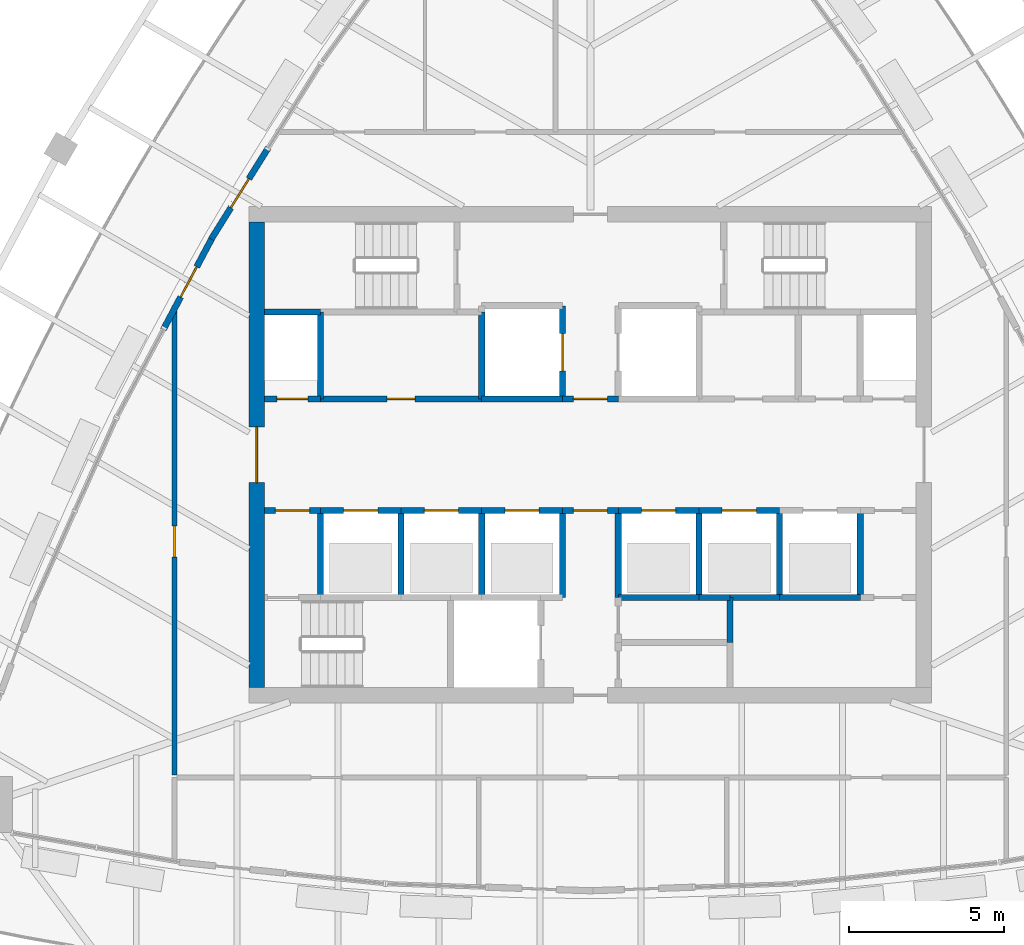
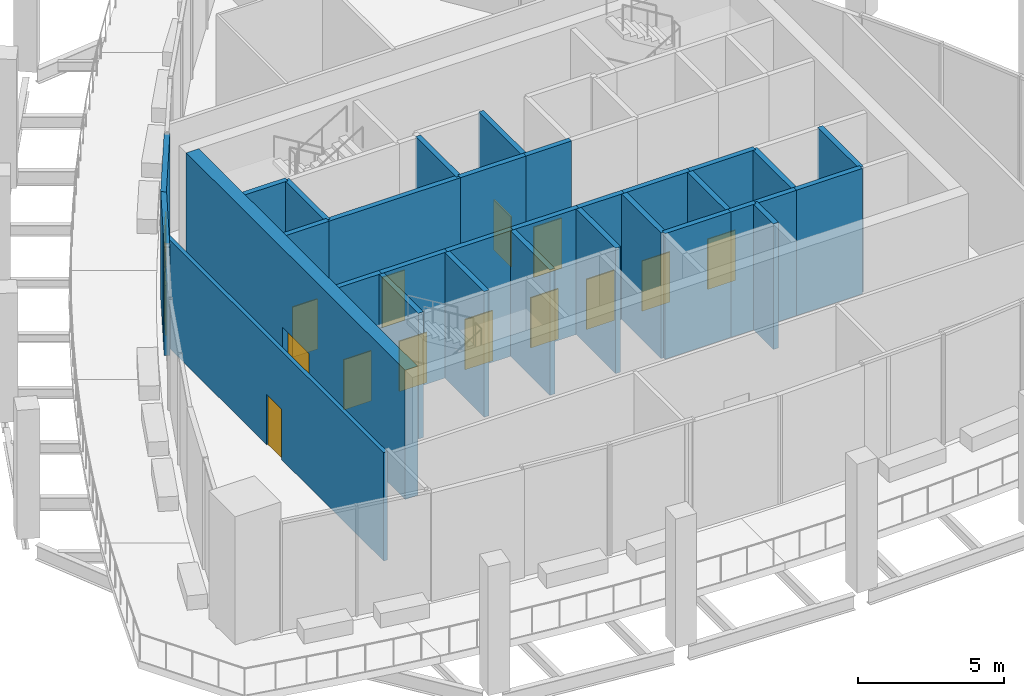
# One storey, part 8 of 14: 32 walls, 15 doors, 15 openings.
"""IFC4 building model written with IfcOpenShell, lengths in metres."""

from ifc_helpers import new_model, si_unit, direction, frame, frame_2d, origin, place, context, subcontext, project, spatial, rectangle, extrude, material, layer, layer_set, type_object, element, fill, save


model = new_model("IFC4")

# Units and contexts
model_context = context("Model", 3, precision=1e-05, world=origin(), true_north=direction((0.0, 1.0)))
body_context = subcontext(model_context, "Body", "Model", "MODEL_VIEW")
ifc_project = project(units=[si_unit("LENGTHUNIT", "METRE"), si_unit("AREAUNIT", "SQUARE_METRE"), si_unit("VOLUMEUNIT", "CUBIC_METRE"), si_unit("PLANEANGLEUNIT", "RADIAN"), si_unit("MASSUNIT", "GRAM", prefix="KILO")], contexts=[model_context])

# Site, building, storey
site_placement = place(None, origin())
site = spatial("IfcSite", under=ifc_project, at=site_placement, CompositionType="ELEMENT")
building_placement = place(site_placement, origin())
building = spatial("IfcBuilding", under=site, at=building_placement, Name="Sierra Prisma Convention Tower", CompositionType="ELEMENT")
storey_placement = place(building_placement, frame((0.0, 0.0, 339.39990234375)))
storey = spatial("IfcBuildingStorey", under=building, at=storey_placement, Name="L76", CompositionType="ELEMENT", Elevation=339.39990234375)

# Wall, opening, door
ifc_material_1 = material(Name="Concrete C30/37", Category="concrete")
ifc_layer_1 = layer(ifc_material_1, 0.199951171875)
ifc_layer_set_1 = layer_set([ifc_layer_1], Name="Core wall RC 200 C30/37")
wall_type_1 = type_object("IfcWallType", Name="Core wall RC 200 C30/37", PredefinedType="SOLIDWALL", material=ifc_layer_set_1)
wall_1_placement = place(storey_placement, frame((-10.5, -1.800048828125, 0.0), z_axis=(0.0, 0.0, 1.0), x_axis=(1.0, 0.0, 0.0)))
wall_1 = element("IfcWall", 1, at=wall_1_placement, inside=storey, type_object=wall_type_1, Name="Core wall L76 2", PredefinedType="SOLIDWALL", context=body_context, shape_type="SweptSolid", body=[
    extrude(rectangle(XDim=1.800048828125, YDim=0.199951171875, at=frame_2d((0.89990234375, 0.0))), origin(), (0.0, 0.0, 1.0), 5.25),
])
opening_1_placement = place(wall_1_placement, frame((0.35009765625, 0.0, 0.0)))
opening_1 = element("IfcOpeningElement", 2, at=opening_1_placement, cuts=wall_1, Name="Opening L76-D010", PredefinedType="OPENING", context=body_context, shape_type="SweptSolid", body=[
    extrude(rectangle(XDim=1.10009765625, YDim=2.10009765625, at=frame_2d((0.550048828125, 1.050048828125))), frame((0.0, 0.10009765625, 0.0), z_axis=(0.0, -1.0, 0.0), x_axis=(1.0, 0.0, 0.0)), (0.0, 0.0, 1.0), 0.199951171875),
])
ifc_material_2 = material(Name="Steel fire door leaf", Category="steel")
door_type_1 = type_object("IfcDoorType", Name="Door 1100x2100 FD90S", OperationType="SINGLE_SWING_LEFT", PredefinedType="DOOR", material=ifc_material_2)
door_1_placement = place(opening_1_placement, origin())
door_1 = element("IfcDoor", 3, at=door_1_placement, inside=storey, type_object=door_type_1, Name="Door L76 18", OperationType="SINGLE_SWING_RIGHT", OverallHeight=2.10009765625, OverallWidth=1.10009765625, PredefinedType="DOOR", context=body_context, shape_type="SweptSolid", body=[
    extrude(rectangle(XDim=1.10009765625, YDim=2.10009765625, at=frame_2d((0.550048828125, 1.050048828125))), frame((0.0, 0.02490234375, 0.0), z_axis=(0.0, -1.0, 0.0), x_axis=(1.0, 0.0, 0.0)), (0.0, 0.0, 1.0), 0.050048828125),
])
fill(opening_1, door_1)

wall_2_placement = place(storey_placement, frame((-8.699951171875, 1.800048828125, 0.0), z_axis=(0.0, 0.0, 1.0), x_axis=(-1.0, 0.0, 0.0)))
wall_2 = element("IfcWall", 4, at=wall_2_placement, inside=storey, type_object=wall_type_1, Name="Core wall L76 3", PredefinedType="SOLIDWALL", context=body_context, shape_type="SweptSolid", body=[
    extrude(rectangle(XDim=1.800048828125, YDim=0.199951171875, at=frame_2d((0.89990234375, 0.0))), origin(), (0.0, 0.0, 1.0), 5.25),
])
opening_2_placement = place(wall_2_placement, frame((0.39990234375, 0.0, 0.0)))
opening_2 = element("IfcOpeningElement", 5, at=opening_2_placement, cuts=wall_2, Name="Opening L76-D013", PredefinedType="OPENING", context=body_context, shape_type="SweptSolid", body=[
    extrude(rectangle(XDim=1.0, YDim=2.10009765625, at=frame_2d((0.5, 1.050048828125))), frame((0.0, 0.10009765625, 0.0), z_axis=(0.0, -1.0, 0.0), x_axis=(1.0, 0.0, 0.0)), (0.0, 0.0, 1.0), 0.199951171875),
])
ifc_material_3 = material(Name="Steel fire door leaf", Category="steel")
door_type_2 = type_object("IfcDoorType", Name="Door 1000x2100 FD60S", OperationType="SINGLE_SWING_LEFT", PredefinedType="DOOR", material=ifc_material_3)
door_2_placement = place(opening_2_placement, origin())
door_2 = element("IfcDoor", 6, at=door_2_placement, inside=storey, type_object=door_type_2, Name="Door L76 21", OperationType="SINGLE_SWING_RIGHT", OverallHeight=2.10009765625, OverallWidth=1.0, PredefinedType="DOOR", context=body_context, shape_type="SweptSolid", body=[
    extrude(rectangle(XDim=1.0, YDim=2.10009765625, at=frame_2d((0.5, 1.050048828125))), frame((0.0, 0.02490234375, 0.0), z_axis=(0.0, -1.0, 0.0), x_axis=(1.0, 0.0, 0.0)), (0.0, 0.0, 1.0), 0.050048828125),
])
fill(opening_2, door_2)

# Walls
wall_3_placement = place(storey_placement, frame((-8.699951171875, 4.60009765625, 0.0), z_axis=(0.0, 0.0, 1.0), x_axis=(-1.0, 0.0, 0.0)))
element("IfcWall", 7, at=wall_3_placement, inside=storey, type_object=wall_type_1, Name="Core wall L76 4", PredefinedType="SOLIDWALL", context=body_context, shape_type="SweptSolid", body=[
    extrude(rectangle(XDim=1.800048828125, YDim=0.199951171875, at=frame_2d((0.89990234375, 0.0))), origin(), (0.0, 0.0, 1.0), 5.25),
])
wall_4_placement = place(storey_placement, frame((-8.699951171875, -4.60009765625, 0.0), z_axis=(0.0, 0.0, 1.0), x_axis=(0.0, 1.0, 0.0)))
element("IfcWall", 8, at=wall_4_placement, inside=storey, type_object=wall_type_1, Name="Core wall L76 6", PredefinedType="SOLIDWALL", context=body_context, shape_type="SweptSolid", body=[
    extrude(rectangle(XDim=2.800048828125, YDim=0.199951171875, at=frame_2d((1.39990234375, 0.0))), origin(), (0.0, 0.0, 1.0), 5.25),
])

# Wall, opening, door
wall_5_placement = place(storey_placement, frame((-8.699951171875, -1.800048828125, 0.0), z_axis=(0.0, 0.0, 1.0), x_axis=(1.0, 0.0, 0.0)))
wall_5 = element("IfcWall", 9, at=wall_5_placement, inside=storey, type_object=wall_type_1, Name="Core wall L76 7", PredefinedType="SOLIDWALL", context=body_context, shape_type="SweptSolid", body=[
    extrude(rectangle(XDim=2.599853515625, YDim=0.199951171875, at=frame_2d((1.2998046875, 0.0))), origin(), (0.0, 0.0, 1.0), 5.25),
])
opening_3_placement = place(wall_5_placement, frame((0.75, 0.0, 0.0)))
opening_3 = element("IfcOpeningElement", 10, at=opening_3_placement, cuts=wall_5, Name="Opening L76-D001", PredefinedType="OPENING", context=body_context, shape_type="SweptSolid", body=[
    extrude(rectangle(XDim=1.10009765625, YDim=2.10009765625, at=frame_2d((0.550048828125, 1.050048828125))), frame((0.0, 0.10009765625, 0.0), z_axis=(0.0, -1.0, 0.0), x_axis=(1.0, 0.0, 0.0)), (0.0, 0.0, 1.0), 0.199951171875),
])
ifc_material_4 = material(Name="Steel fire door leaf", Category="steel")
door_type_3 = type_object("IfcDoorType", Name="Door 1100x2100 EI 90 sliding lift landing", OperationType="SLIDING_TO_LEFT", PredefinedType="DOOR", material=ifc_material_4)
door_3_placement = place(opening_3_placement, origin())
door_3 = element("IfcDoor", 11, at=door_3_placement, inside=storey, type_object=door_type_3, Name="Door L76 9", OperationType="SLIDING_TO_RIGHT", OverallHeight=2.10009765625, OverallWidth=1.10009765625, PredefinedType="DOOR", context=body_context, shape_type="SweptSolid", body=[
    extrude(rectangle(XDim=1.10009765625, YDim=2.10009765625, at=frame_2d((0.550048828125, 1.050048828125))), frame((0.0, 0.02490234375, 0.0), z_axis=(0.0, -1.0, 0.0), x_axis=(1.0, 0.0, 0.0)), (0.0, 0.0, 1.0), 0.050048828125),
])
fill(opening_3, door_3)

wall_6_placement = place(storey_placement, frame((-8.699951171875, 1.800048828125, 0.0), z_axis=(0.0, 0.0, 1.0), x_axis=(1.0, 0.0, 0.0)))
wall_6 = element("IfcWall", 12, at=wall_6_placement, inside=storey, type_object=wall_type_1, Name="Core wall L76 8", PredefinedType="SOLIDWALL", context=body_context, shape_type="SweptSolid", body=[
    extrude(rectangle(XDim=5.199951171875, YDim=0.199951171875, at=frame_2d((2.60009765625, 0.0))), origin(), (0.0, 0.0, 1.0), 5.25),
])
opening_4_placement = place(wall_6_placement, frame((2.14990234375, 0.0, 0.0)))
opening_4 = element("IfcOpeningElement", 13, at=opening_4_placement, cuts=wall_6, Name="Opening L76-D020", PredefinedType="OPENING", context=body_context, shape_type="SweptSolid", body=[
    extrude(rectangle(XDim=0.89990234375, YDim=2.10009765625, at=frame_2d((0.449951171875, 1.050048828125))), frame((0.0, 0.10009765625, 0.0), z_axis=(0.0, -1.0, 0.0), x_axis=(1.0, 0.0, 0.0)), (0.0, 0.0, 1.0), 0.199951171875),
])
ifc_material_5 = material(Name="Steel fire door leaf", Category="steel")
door_type_4 = type_object("IfcDoorType", Name="Door 900x2100 FD30S", OperationType="SINGLE_SWING_LEFT", PredefinedType="DOOR", material=ifc_material_5)
door_4_placement = place(opening_4_placement, origin())
door_4 = element("IfcDoor", 14, at=door_4_placement, inside=storey, type_object=door_type_4, Name="Door L76 28", OperationType="SINGLE_SWING_LEFT", OverallHeight=2.10009765625, OverallWidth=0.89990234375, PredefinedType="DOOR", context=body_context, shape_type="SweptSolid", body=[
    extrude(rectangle(XDim=0.89990234375, YDim=2.10009765625, at=frame_2d((0.449951171875, 1.050048828125))), frame((0.0, 0.02490234375, 0.0), z_axis=(0.0, -1.0, 0.0), x_axis=(1.0, 0.0, 0.0)), (0.0, 0.0, 1.0), 0.050048828125),
])
fill(opening_4, door_4)

# Walls
for number, where, z_axis, x_axis, name in (
    (15, (-8.699951171875, 4.60009765625, 0.0), (0.0, 0.0, 1.0), (0.0, -1.0, 0.0), "Core wall L76 9"),
    (16, (-6.10009765625, -4.60009765625, 0.0), (0.0, 0.0, 1.0), (0.0, 1.0, 0.0), "Core wall L76 12"),
):
    element("IfcWall", number, at=place(storey_placement, frame(where, z_axis=z_axis, x_axis=x_axis)), inside=storey, type_object=wall_type_1, Name=name, PredefinedType="SOLIDWALL", context=body_context, shape_type="SweptSolid", body=[
        extrude(rectangle(XDim=2.800048828125, YDim=0.199951171875, at=frame_2d((1.39990234375, 0.0))), origin(), (0.0, 0.0, 1.0), 5.25),
    ])

# Wall, opening, door
wall_7_placement = place(storey_placement, frame((-6.10009765625, -1.800048828125, 0.0), z_axis=(0.0, 0.0, 1.0), x_axis=(1.0, 0.0, 0.0)))
wall_7 = element("IfcWall", 17, at=wall_7_placement, inside=storey, type_object=wall_type_1, Name="Core wall L76 13", PredefinedType="SOLIDWALL", context=body_context, shape_type="SweptSolid", body=[
    extrude(rectangle(XDim=2.60009765625, YDim=0.199951171875, at=frame_2d((1.300048828125, 0.0))), origin(), (0.0, 0.0, 1.0), 5.25),
])
opening_5_placement = place(wall_7_placement, frame((0.75, 0.0, 0.0)))
opening_5 = element("IfcOpeningElement", 18, at=opening_5_placement, cuts=wall_7, Name="Opening L76-D002", PredefinedType="OPENING", context=body_context, shape_type="SweptSolid", body=[
    extrude(rectangle(XDim=1.10009765625, YDim=2.10009765625, at=frame_2d((0.550048828125, 1.050048828125))), frame((0.0, 0.10009765625, 0.0), z_axis=(0.0, -1.0, 0.0), x_axis=(1.0, 0.0, 0.0)), (0.0, 0.0, 1.0), 0.199951171875),
])
door_5_placement = place(opening_5_placement, origin())
door_5 = element("IfcDoor", 19, at=door_5_placement, inside=storey, type_object=door_type_3, Name="Door L76 10", OperationType="SLIDING_TO_RIGHT", OverallHeight=2.10009765625, OverallWidth=1.10009765625, PredefinedType="DOOR", context=body_context, shape_type="SweptSolid", body=[
    extrude(rectangle(XDim=1.10009765625, YDim=2.10009765625, at=frame_2d((0.550048828125, 1.050048828125))), frame((0.0, 0.02490234375, 0.0), z_axis=(0.0, -1.0, 0.0), x_axis=(1.0, 0.0, 0.0)), (0.0, 0.0, 1.0), 0.050048828125),
])
fill(opening_5, door_5)

# Wall
wall_8_placement = place(storey_placement, frame((-3.5, -4.60009765625, 0.0), z_axis=(0.0, 0.0, 1.0), x_axis=(0.0, 1.0, 0.0)))
element("IfcWall", 20, at=wall_8_placement, inside=storey, type_object=wall_type_1, Name="Core wall L76 19", PredefinedType="SOLIDWALL", context=body_context, shape_type="SweptSolid", body=[
    extrude(rectangle(XDim=2.800048828125, YDim=0.199951171875, at=frame_2d((1.39990234375, 0.0))), origin(), (0.0, 0.0, 1.0), 5.25),
])

# Wall, opening, door
wall_9_placement = place(storey_placement, frame((-3.5, -1.800048828125, 0.0), z_axis=(0.0, 0.0, 1.0), x_axis=(1.0, 0.0, 0.0)))
wall_9 = element("IfcWall", 21, at=wall_9_placement, inside=storey, type_object=wall_type_1, Name="Core wall L76 20", PredefinedType="SOLIDWALL", context=body_context, shape_type="SweptSolid", body=[
    extrude(rectangle(XDim=2.60009765625, YDim=0.199951171875, at=frame_2d((1.300048828125, 0.0))), origin(), (0.0, 0.0, 1.0), 5.25),
])
opening_6_placement = place(wall_9_placement, frame((0.75, 0.0, 0.0)))
opening_6 = element("IfcOpeningElement", 22, at=opening_6_placement, cuts=wall_9, Name="Opening L76-D003", PredefinedType="OPENING", context=body_context, shape_type="SweptSolid", body=[
    extrude(rectangle(XDim=1.10009765625, YDim=2.10009765625, at=frame_2d((0.550048828125, 1.050048828125))), frame((0.0, 0.10009765625, 0.0), z_axis=(0.0, -1.0, 0.0), x_axis=(1.0, 0.0, 0.0)), (0.0, 0.0, 1.0), 0.199951171875),
])
door_6_placement = place(opening_6_placement, origin())
door_6 = element("IfcDoor", 23, at=door_6_placement, inside=storey, type_object=door_type_3, Name="Door L76 11", OperationType="SLIDING_TO_RIGHT", OverallHeight=2.10009765625, OverallWidth=1.10009765625, PredefinedType="DOOR", context=body_context, shape_type="SweptSolid", body=[
    extrude(rectangle(XDim=1.10009765625, YDim=2.10009765625, at=frame_2d((0.550048828125, 1.050048828125))), frame((0.0, 0.02490234375, 0.0), z_axis=(0.0, -1.0, 0.0), x_axis=(1.0, 0.0, 0.0)), (0.0, 0.0, 1.0), 0.050048828125),
])
fill(opening_6, door_6)

# Walls
wall_10_placement = place(storey_placement, frame((-0.89990234375, 1.800048828125, 0.0), z_axis=(0.0, 0.0, 1.0), x_axis=(-1.0, 0.0, 0.0)))
element("IfcWall", 24, at=wall_10_placement, inside=storey, type_object=wall_type_1, Name="Core wall L76 21", PredefinedType="SOLIDWALL", context=body_context, shape_type="SweptSolid", body=[
    extrude(rectangle(XDim=2.60009765625, YDim=0.199951171875, at=frame_2d((1.300048828125, 0.0))), origin(), (0.0, 0.0, 1.0), 5.25),
])
wall_11_placement = place(storey_placement, frame((-3.5, 1.800048828125, 0.0), z_axis=(0.0, 0.0, 1.0), x_axis=(0.0, 1.0, 0.0)))
element("IfcWall", 25, at=wall_11_placement, inside=storey, type_object=wall_type_1, Name="Core wall L76 22", PredefinedType="SOLIDWALL", context=body_context, shape_type="SweptSolid", body=[
    extrude(rectangle(XDim=2.800048828125, YDim=0.199951171875, at=frame_2d((1.39990234375, 0.0))), origin(), (0.0, 0.0, 1.0), 5.25),
])

# Wall, opening, door
wall_12_placement = place(storey_placement, frame((-0.89990234375, 1.800048828125, 0.0), z_axis=(0.0, 0.0, 1.0), x_axis=(0.0, 1.0, 0.0)))
wall_12 = element("IfcWall", 26, at=wall_12_placement, inside=storey, type_object=wall_type_1, Name="Core wall L76 23", PredefinedType="SOLIDWALL", context=body_context, shape_type="SweptSolid", body=[
    extrude(rectangle(XDim=3.0, YDim=0.199951171875, at=frame_2d((1.5, 0.0))), origin(), (0.0, 0.0, 1.0), 5.25),
])
opening_7_placement = place(wall_12_placement, frame((0.89990234375, 0.0, 0.0)))
opening_7 = element("IfcOpeningElement", 27, at=opening_7_placement, cuts=wall_12, Name="Opening L76-D007", PredefinedType="OPENING", context=body_context, shape_type="SweptSolid", body=[
    extrude(rectangle(XDim=1.199951171875, YDim=2.10009765625, at=frame_2d((0.60009765625, 1.050048828125))), frame((0.0, 0.10009765625, 0.0), z_axis=(0.0, -1.0, 0.0), x_axis=(1.0, 0.0, 0.0)), (0.0, 0.0, 1.0), 0.199951171875),
])
ifc_material_6 = material(Name="Steel fire door leaf", Category="steel")
door_type_5 = type_object("IfcDoorType", Name="Door 1200x2100 EI 90 sliding lift landing", OperationType="SLIDING_TO_LEFT", PredefinedType="DOOR", material=ifc_material_6)
door_7_placement = place(opening_7_placement, origin())
door_7 = element("IfcDoor", 28, at=door_7_placement, inside=storey, type_object=door_type_5, Name="Door L76 15", OperationType="SLIDING_TO_RIGHT", OverallHeight=2.10009765625, OverallWidth=1.199951171875, PredefinedType="DOOR", context=body_context, shape_type="SweptSolid", body=[
    extrude(rectangle(XDim=1.199951171875, YDim=2.10009765625, at=frame_2d((0.60009765625, 1.050048828125))), frame((0.0, 0.02490234375, 0.0), z_axis=(0.0, -1.0, 0.0), x_axis=(1.0, 0.0, 0.0)), (0.0, 0.0, 1.0), 0.050048828125),
])
fill(opening_7, door_7)

# Wall
wall_13_placement = place(storey_placement, frame((-0.89990234375, -4.60009765625, 0.0), z_axis=(0.0, 0.0, 1.0), x_axis=(0.0, 1.0, 0.0)))
element("IfcWall", 29, at=wall_13_placement, inside=storey, type_object=wall_type_1, Name="Core wall L76 28", PredefinedType="SOLIDWALL", context=body_context, shape_type="SweptSolid", body=[
    extrude(rectangle(XDim=2.800048828125, YDim=0.199951171875, at=frame_2d((1.39990234375, 0.0))), origin(), (0.0, 0.0, 1.0), 5.25),
])

# Wall, opening, door
wall_14_placement = place(storey_placement, frame((-0.89990234375, -1.800048828125, 0.0), z_axis=(0.0, 0.0, 1.0), x_axis=(1.0, 0.0, 0.0)))
wall_14 = element("IfcWall", 30, at=wall_14_placement, inside=storey, type_object=wall_type_1, Name="Core wall L76 29", PredefinedType="SOLIDWALL", context=body_context, shape_type="SweptSolid", body=[
    extrude(rectangle(XDim=1.7998046875, YDim=0.199951171875, at=frame_2d((0.89990234375, 0.0))), origin(), (0.0, 0.0, 1.0), 5.25),
])
opening_8_placement = place(wall_14_placement, frame((0.35009765625, 0.0, 0.0)))
opening_8 = element("IfcOpeningElement", 31, at=opening_8_placement, cuts=wall_14, Name="Opening L76-D012", PredefinedType="OPENING", context=body_context, shape_type="SweptSolid", body=[
    extrude(rectangle(XDim=1.10009765625, YDim=2.10009765625, at=frame_2d((0.550048828125, 1.050048828125))), frame((0.0, 0.10009765625, 0.0), z_axis=(0.0, -1.0, 0.0), x_axis=(1.0, 0.0, 0.0)), (0.0, 0.0, 1.0), 0.199951171875),
])
ifc_material_7 = material(Name="Steel fire door leaf", Category="steel")
door_type_6 = type_object("IfcDoorType", Name="Door 1100x2100 FD30S", OperationType="SINGLE_SWING_LEFT", PredefinedType="DOOR", material=ifc_material_7)
door_8_placement = place(opening_8_placement, origin())
door_8 = element("IfcDoor", 32, at=door_8_placement, inside=storey, type_object=door_type_6, Name="Door L76 20", OperationType="SINGLE_SWING_LEFT", OverallHeight=2.10009765625, OverallWidth=1.10009765625, PredefinedType="DOOR", context=body_context, shape_type="SweptSolid", body=[
    extrude(rectangle(XDim=1.10009765625, YDim=2.10009765625, at=frame_2d((0.550048828125, 1.050048828125))), frame((0.0, 0.02490234375, 0.0), z_axis=(0.0, -1.0, 0.0), x_axis=(1.0, 0.0, 0.0)), (0.0, 0.0, 1.0), 0.050048828125),
])
fill(opening_8, door_8)

wall_15_placement = place(storey_placement, frame((0.89990234375, 1.800048828125, 0.0), z_axis=(0.0, 0.0, 1.0), x_axis=(-1.0, 0.0, 0.0)))
wall_15 = element("IfcWall", 33, at=wall_15_placement, inside=storey, type_object=wall_type_1, Name="Core wall L76 30", PredefinedType="SOLIDWALL", context=body_context, shape_type="SweptSolid", body=[
    extrude(rectangle(XDim=1.7998046875, YDim=0.199951171875, at=frame_2d((0.89990234375, 0.0))), origin(), (0.0, 0.0, 1.0), 5.25),
])
opening_9_placement = place(wall_15_placement, frame((0.35009765625, 0.0, 0.0)))
opening_9 = element("IfcOpeningElement", 34, at=opening_9_placement, cuts=wall_15, Name="Opening L76-D011", PredefinedType="OPENING", context=body_context, shape_type="SweptSolid", body=[
    extrude(rectangle(XDim=1.10009765625, YDim=2.10009765625, at=frame_2d((0.550048828125, 1.050048828125))), frame((0.0, 0.10009765625, 0.0), z_axis=(0.0, -1.0, 0.0), x_axis=(1.0, 0.0, 0.0)), (0.0, 0.0, 1.0), 0.199951171875),
])
ifc_material_8 = material(Name="Steel fire door leaf", Category="steel")
door_type_7 = type_object("IfcDoorType", Name="Door 1100x2100 FD60S", OperationType="SINGLE_SWING_LEFT", PredefinedType="DOOR", material=ifc_material_8)
door_9_placement = place(opening_9_placement, origin())
door_9 = element("IfcDoor", 35, at=door_9_placement, inside=storey, type_object=door_type_7, Name="Door L76 19", OperationType="SINGLE_SWING_RIGHT", OverallHeight=2.10009765625, OverallWidth=1.10009765625, PredefinedType="DOOR", context=body_context, shape_type="SweptSolid", body=[
    extrude(rectangle(XDim=1.10009765625, YDim=2.10009765625, at=frame_2d((0.550048828125, 1.050048828125))), frame((0.0, 0.02490234375, 0.0), z_axis=(0.0, -1.0, 0.0), x_axis=(1.0, 0.0, 0.0)), (0.0, 0.0, 1.0), 0.050048828125),
])
fill(opening_9, door_9)

# Walls
wall_16_placement = place(storey_placement, frame((3.5, -4.60009765625, 0.0), z_axis=(0.0, 0.0, 1.0), x_axis=(-1.0, 0.0, 0.0)))
element("IfcWall", 36, at=wall_16_placement, inside=storey, type_object=wall_type_1, Name="Core wall L76 34", PredefinedType="SOLIDWALL", context=body_context, shape_type="SweptSolid", body=[
    extrude(rectangle(XDim=2.60009765625, YDim=0.199951171875, at=frame_2d((1.300048828125, 0.0))), origin(), (0.0, 0.0, 1.0), 5.25),
])
wall_17_placement = place(storey_placement, frame((0.89990234375, -1.800048828125, 0.0), z_axis=(0.0, 0.0, 1.0), x_axis=(0.0, -1.0, 0.0)))
element("IfcWall", 37, at=wall_17_placement, inside=storey, type_object=wall_type_1, Name="Core wall L76 35", PredefinedType="SOLIDWALL", context=body_context, shape_type="SweptSolid", body=[
    extrude(rectangle(XDim=2.800048828125, YDim=0.199951171875, at=frame_2d((1.39990234375, 0.0))), origin(), (0.0, 0.0, 1.0), 5.25),
])

# Wall, opening, door
wall_18_placement = place(storey_placement, frame((0.89990234375, -1.800048828125, 0.0), z_axis=(0.0, 0.0, 1.0), x_axis=(1.0, 0.0, 0.0)))
wall_18 = element("IfcWall", 38, at=wall_18_placement, inside=storey, type_object=wall_type_1, Name="Core wall L76 36", PredefinedType="SOLIDWALL", context=body_context, shape_type="SweptSolid", body=[
    extrude(rectangle(XDim=2.60009765625, YDim=0.199951171875, at=frame_2d((1.300048828125, 0.0))), origin(), (0.0, 0.0, 1.0), 5.25),
])
opening_10_placement = place(wall_18_placement, frame((0.75, 0.0, 0.0)))
opening_10 = element("IfcOpeningElement", 39, at=opening_10_placement, cuts=wall_18, Name="Opening L76-D004", PredefinedType="OPENING", context=body_context, shape_type="SweptSolid", body=[
    extrude(rectangle(XDim=1.10009765625, YDim=2.10009765625, at=frame_2d((0.550048828125, 1.050048828125))), frame((0.0, 0.10009765625, 0.0), z_axis=(0.0, -1.0, 0.0), x_axis=(1.0, 0.0, 0.0)), (0.0, 0.0, 1.0), 0.199951171875),
])
door_10_placement = place(opening_10_placement, origin())
door_10 = element("IfcDoor", 40, at=door_10_placement, inside=storey, type_object=door_type_3, Name="Door L76 12", OperationType="SLIDING_TO_RIGHT", OverallHeight=2.10009765625, OverallWidth=1.10009765625, PredefinedType="DOOR", context=body_context, shape_type="SweptSolid", body=[
    extrude(rectangle(XDim=1.10009765625, YDim=2.10009765625, at=frame_2d((0.550048828125, 1.050048828125))), frame((0.0, 0.02490234375, 0.0), z_axis=(0.0, -1.0, 0.0), x_axis=(1.0, 0.0, 0.0)), (0.0, 0.0, 1.0), 0.050048828125),
])
fill(opening_10, door_10)

# Walls
wall_19_placement = place(storey_placement, frame((4.5, -4.60009765625, 0.0), z_axis=(0.0, 0.0, 1.0), x_axis=(-1.0, 0.0, 0.0)))
element("IfcWall", 41, at=wall_19_placement, inside=storey, type_object=wall_type_1, Name="Core wall L76 41", PredefinedType="SOLIDWALL", context=body_context, shape_type="SweptSolid", body=[
    extrude(rectangle(XDim=1.0, YDim=0.199951171875, at=frame_2d((0.5, 0.0))), origin(), (0.0, 0.0, 1.0), 5.25),
])
wall_20_placement = place(storey_placement, frame((3.5, -4.60009765625, 0.0), z_axis=(0.0, 0.0, 1.0), x_axis=(0.0, 1.0, 0.0)))
element("IfcWall", 42, at=wall_20_placement, inside=storey, type_object=wall_type_1, Name="Core wall L76 42", PredefinedType="SOLIDWALL", context=body_context, shape_type="SweptSolid", body=[
    extrude(rectangle(XDim=2.800048828125, YDim=0.199951171875, at=frame_2d((1.39990234375, 0.0))), origin(), (0.0, 0.0, 1.0), 5.25),
])

# Wall, opening, door
wall_21_placement = place(storey_placement, frame((3.5, -1.800048828125, 0.0), z_axis=(0.0, 0.0, 1.0), x_axis=(1.0, 0.0, 0.0)))
wall_21 = element("IfcWall", 43, at=wall_21_placement, inside=storey, type_object=wall_type_1, Name="Core wall L76 43", PredefinedType="SOLIDWALL", context=body_context, shape_type="SweptSolid", body=[
    extrude(rectangle(XDim=2.60009765625, YDim=0.199951171875, at=frame_2d((1.300048828125, 0.0))), origin(), (0.0, 0.0, 1.0), 5.25),
])
opening_11_placement = place(wall_21_placement, frame((0.75, 0.0, 0.0)))
opening_11 = element("IfcOpeningElement", 44, at=opening_11_placement, cuts=wall_21, Name="Opening L76-D005", PredefinedType="OPENING", context=body_context, shape_type="SweptSolid", body=[
    extrude(rectangle(XDim=1.10009765625, YDim=2.10009765625, at=frame_2d((0.550048828125, 1.050048828125))), frame((0.0, 0.10009765625, 0.0), z_axis=(0.0, -1.0, 0.0), x_axis=(1.0, 0.0, 0.0)), (0.0, 0.0, 1.0), 0.199951171875),
])
door_11_placement = place(opening_11_placement, origin())
door_11 = element("IfcDoor", 45, at=door_11_placement, inside=storey, type_object=door_type_3, Name="Door L76 13", OperationType="SLIDING_TO_RIGHT", OverallHeight=2.10009765625, OverallWidth=1.10009765625, PredefinedType="DOOR", context=body_context, shape_type="SweptSolid", body=[
    extrude(rectangle(XDim=1.10009765625, YDim=2.10009765625, at=frame_2d((0.550048828125, 1.050048828125))), frame((0.0, 0.02490234375, 0.0), z_axis=(0.0, -1.0, 0.0), x_axis=(1.0, 0.0, 0.0)), (0.0, 0.0, 1.0), 0.050048828125),
])
fill(opening_11, door_11)

# Walls
wall_22_placement = place(storey_placement, frame((4.5, -4.60009765625, 0.0), z_axis=(0.0, 0.0, 1.0), x_axis=(0.0, -1.0, 0.0)))
element("IfcWall", 46, at=wall_22_placement, inside=storey, type_object=wall_type_1, Name="Core wall L76 50", PredefinedType="SOLIDWALL", context=body_context, shape_type="SweptSolid", body=[
    extrude(rectangle(XDim=1.449951171875, YDim=0.199951171875, at=frame_2d((0.72509765625, 0.0))), origin(), (0.0, 0.0, 1.0), 5.25),
])
wall_23_placement = place(storey_placement, frame((6.10009765625, -4.60009765625, 0.0), z_axis=(0.0, 0.0, 1.0), x_axis=(-1.0, 0.0, 0.0)))
element("IfcWall", 47, at=wall_23_placement, inside=storey, type_object=wall_type_1, Name="Core wall L76 51", PredefinedType="SOLIDWALL", context=body_context, shape_type="SweptSolid", body=[
    extrude(rectangle(XDim=1.60009765625, YDim=0.199951171875, at=frame_2d((0.800048828125, 0.0))), origin(), (0.0, 0.0, 1.0), 5.25),
])
wall_24_placement = place(storey_placement, frame((8.699951171875, -4.60009765625, 0.0), z_axis=(0.0, 0.0, 1.0), x_axis=(-1.0, 0.0, 0.0)))
element("IfcWall", 48, at=wall_24_placement, inside=storey, type_object=wall_type_1, Name="Core wall L76 52", PredefinedType="SOLIDWALL", context=body_context, shape_type="SweptSolid", body=[
    extrude(rectangle(XDim=2.599853515625, YDim=0.199951171875, at=frame_2d((1.2998046875, 0.0))), origin(), (0.0, 0.0, 1.0), 5.25),
])
for number, where, z_axis, x_axis, name in (
    (49, (6.10009765625, -4.60009765625, 0.0), (0.0, 0.0, 1.0), (0.0, 1.0, 0.0), "Core wall L76 53"),
    (50, (8.699951171875, -1.800048828125, 0.0), (0.0, 0.0, 1.0), (0.0, -1.0, 0.0), "Core wall L76 59"),
):
    element("IfcWall", number, at=place(storey_placement, frame(where, z_axis=z_axis, x_axis=x_axis)), inside=storey, type_object=wall_type_1, Name=name, PredefinedType="SOLIDWALL", context=body_context, shape_type="SweptSolid", body=[
        extrude(rectangle(XDim=2.800048828125, YDim=0.199951171875, at=frame_2d((1.39990234375, 0.0))), origin(), (0.0, 0.0, 1.0), 5.25),
    ])

# Wall, opening, door
ifc_material_9 = material(Name="Concrete C50/60", Category="concrete")
ifc_layer_2 = layer(ifc_material_9, 0.5)
ifc_layer_set_2 = layer_set([ifc_layer_2], Name="Core wall RC 500 C50/60")
wall_type_2 = type_object("IfcWallType", Name="Core wall RC 500 C50/60", PredefinedType="SHEAR", material=ifc_layer_set_2)
wall_25_placement = place(storey_placement, frame((-10.75, -7.5, 0.0), z_axis=(0.0, 0.0, 1.0), x_axis=(0.0, 1.0, 0.0)))
wall_25 = element("IfcWall", 51, at=wall_25_placement, inside=storey, type_object=wall_type_2, Name="Core wall W L76", PredefinedType="SHEAR", context=body_context, shape_type="SweptSolid", body=[
    extrude(rectangle(XDim=15.0, YDim=0.5, at=frame_2d((7.5, 0.0))), origin(), (0.0, 0.0, 1.0), 5.400146484375),
])
opening_12_placement = place(wall_25_placement, frame((6.60009765625, 0.0, 0.0)))
opening_12 = element("IfcOpeningElement", 52, at=opening_12_placement, cuts=wall_25, Name="Opening L76-D036", PredefinedType="OPENING", context=body_context, shape_type="SweptSolid", body=[
    extrude(rectangle(XDim=1.800048828125, YDim=2.10009765625, at=frame_2d((0.89990234375, 1.050048828125))), frame((0.0, 0.25, 0.0), z_axis=(0.0, -1.0, 0.0), x_axis=(1.0, 0.0, 0.0)), (0.0, 0.0, 1.0), 0.5),
])
ifc_material_10 = material(Name="Steel fire door leaf", Category="steel")
door_type_8 = type_object("IfcDoorType", Name="Door 1800x2100 FD60S", OperationType="DOUBLE_DOOR_SINGLE_SWING", PredefinedType="DOOR", material=ifc_material_10)
door_12_placement = place(opening_12_placement, origin())
door_12 = element("IfcDoor", 53, at=door_12_placement, inside=storey, type_object=door_type_8, Name="Door L76 33", OperationType="DOUBLE_DOOR_SINGLE_SWING", OverallHeight=2.10009765625, OverallWidth=1.800048828125, PredefinedType="DOOR", context=body_context, shape_type="SweptSolid", body=[
    extrude(rectangle(XDim=1.800048828125, YDim=2.10009765625, at=frame_2d((0.89990234375, 1.050048828125))), frame((0.0, 0.02490234375, 0.0), z_axis=(0.0, -1.0, 0.0), x_axis=(1.0, 0.0, 0.0)), (0.0, 0.0, 1.0), 0.050048828125),
])
fill(opening_12, door_12)

ifc_material_11 = material(Name="Gypsum board partition", Category="gypsum")
ifc_layer_3 = layer(ifc_material_11, 0.14990234375)
ifc_layer_set_3 = layer_set([ifc_layer_3], Name="Corridor wall 150 gypsum EI 60")
wall_type_3 = type_object("IfcWallType", Name="Corridor wall 150 gypsum EI 60", PredefinedType="PARTITIONING", material=ifc_layer_set_3)
wall_26_placement = place(storey_placement, frame((-13.39990234375, 4.815185546875, 0.0), z_axis=(0.0, 0.0, 1.0), x_axis=(0.0, -1.0, 0.0)))
wall_26 = element("IfcWall", 54, at=wall_26_placement, inside=storey, type_object=wall_type_3, Name="Partition L76 corr 1", PredefinedType="PARTITIONING", context=body_context, shape_type="SweptSolid", body=[
    extrude(rectangle(XDim=15.13525390625, YDim=0.14990234375, at=frame_2d((7.567626953125, 0.0))), origin(), (0.0, 0.0, 1.0), 4.533203125),
])
opening_13_placement = place(wall_26_placement, frame((7.117431640625, 0.0, 0.0)))
opening_13 = element("IfcOpeningElement", 55, at=opening_13_placement, cuts=wall_26, Name="Opening L76-D028", PredefinedType="OPENING", context=body_context, shape_type="SweptSolid", body=[
    extrude(rectangle(XDim=1.0, YDim=2.10009765625, at=frame_2d((0.5, 1.050048828125))), frame((0.0, 0.074951171875, 0.0), z_axis=(0.0, -1.0, 0.0), x_axis=(1.0, 0.0, 0.0)), (0.0, 0.0, 1.0), 0.14990234375),
])
ifc_material_12 = material(Name="Steel fire door leaf", Category="steel")
door_type_9 = type_object("IfcDoorType", Name="Door 1000x2100 FD30S", OperationType="SINGLE_SWING_LEFT", PredefinedType="DOOR", material=ifc_material_12)
door_13_placement = place(opening_13_placement, origin())
door_13 = element("IfcDoor", 56, at=door_13_placement, inside=storey, type_object=door_type_9, Name="Door L76 4", OperationType="SINGLE_SWING_RIGHT", OverallHeight=2.10009765625, OverallWidth=1.0, PredefinedType="DOOR", context=body_context, shape_type="SweptSolid", body=[
    extrude(rectangle(XDim=1.0, YDim=2.10009765625, at=frame_2d((0.5, 1.050048828125))), frame((0.0, 0.02490234375, 0.0), z_axis=(0.0, -1.0, 0.0), x_axis=(1.0, 0.0, 0.0)), (0.0, 0.0, 1.0), 0.050048828125),
])
fill(opening_13, door_13)

ifc_material_13 = material(Name="Precast concrete C40/50", Category="concrete")
ifc_layer_4 = layer(ifc_material_13, 0.199951171875)
ifc_layer_set_4 = layer_set([ifc_layer_4], Name="Terrace door pier")
wall_type_4 = type_object("IfcWallType", Name="Terrace door pier", PredefinedType="SOLIDWALL", material=ifc_layer_set_4)
wall_27_placement = place(storey_placement, frame((-10.37158203125, 9.9013671875, 0.0), z_axis=(0.0, 0.0, 1.0), x_axis=(-0.52965846741, -0.84821100435, 0.0)))
wall_27 = element("IfcWall", 57, at=wall_27_placement, inside=storey, type_object=wall_type_4, Name="Deck door bay L76", PredefinedType="SOLIDWALL", context=body_context, shape_type="SweptSolid", body=[
    extrude(rectangle(XDim=3.48095703125, YDim=0.199951171875, at=frame_2d((1.740478515625, 0.0))), origin(), (0.0, 0.0, 1.0), 4.533203125),
])
opening_14_placement = place(wall_27_placement, frame((1.1904296875, 0.0, 0.0)))
opening_14 = element("IfcOpeningElement", 58, at=opening_14_placement, cuts=wall_27, Name="Opening L76-D043", PredefinedType="OPENING", context=body_context, shape_type="SweptSolid", body=[
    extrude(rectangle(XDim=1.10009765625, YDim=2.10009765625, at=frame_2d((0.550048828125, 1.050048828125))), frame((0.0, 0.10009765625, 0.0), z_axis=(0.0, -1.0, 0.0), x_axis=(1.0, 0.0, 0.0)), (0.0, 0.0, 1.0), 0.199951171875),
])
ifc_material_14 = material(Name="Bronze anodised aluminium and glass", Category="aluminium")
door_type_10 = type_object("IfcDoorType", Name="Terrace door 1100 x 2100", OperationType="SINGLE_SWING_LEFT", PredefinedType="DOOR", material=ifc_material_14)
door_14_placement = place(opening_14_placement, origin())
door_14 = element("IfcDoor", 59, at=door_14_placement, inside=storey, type_object=door_type_10, Name="Deck door L76", OperationType="SINGLE_SWING_LEFT", OverallHeight=2.10009765625, OverallWidth=1.10009765625, PredefinedType="DOOR", context=body_context, shape_type="SweptSolid", body=[
    extrude(rectangle(XDim=1.10009765625, YDim=2.10009765625, at=frame_2d((0.550048828125, 1.050048828125))), frame((0.0, 0.02490234375, 0.0), z_axis=(0.0, -1.0, 0.0), x_axis=(1.0, 0.0, 0.0)), (0.0, 0.0, 1.0), 0.050048828125),
])
fill(opening_14, door_14)

wall_28_placement = place(storey_placement, frame((-12.12548828125, 7.1044921875, 0.0), z_axis=(0.0, 0.0, 1.0), x_axis=(-0.469681595123, -0.882835884637, 0.0)))
wall_28 = element("IfcWall", 60, at=wall_28_placement, inside=storey, type_object=wall_type_4, Name="Deck door bay L76", PredefinedType="SOLIDWALL", context=body_context, shape_type="SweptSolid", body=[
    extrude(rectangle(XDim=3.481201171875, YDim=0.199951171875, at=frame_2d((1.74072265625, 0.0))), origin(), (0.0, 0.0, 1.0), 4.533203125),
])
opening_15_placement = place(wall_28_placement, frame((1.1904296875, 0.0, 0.0)))
opening_15 = element("IfcOpeningElement", 61, at=opening_15_placement, cuts=wall_28, Name="Opening L76-D044", PredefinedType="OPENING", context=body_context, shape_type="SweptSolid", body=[
    extrude(rectangle(XDim=1.10009765625, YDim=2.10009765625, at=frame_2d((0.550048828125, 1.050048828125))), frame((0.0, 0.10009765625, 0.0), z_axis=(0.0, -1.0, 0.0), x_axis=(1.0, 0.0, 0.0)), (0.0, 0.0, 1.0), 0.199951171875),
])
door_15_placement = place(opening_15_placement, origin())
door_15 = element("IfcDoor", 62, at=door_15_placement, inside=storey, type_object=door_type_10, Name="Deck door L76", OperationType="SINGLE_SWING_RIGHT", OverallHeight=2.10009765625, OverallWidth=1.10009765625, PredefinedType="DOOR", context=body_context, shape_type="SweptSolid", body=[
    extrude(rectangle(XDim=1.10009765625, YDim=2.10009765625, at=frame_2d((0.550048828125, 1.050048828125))), frame((0.0, 0.02490234375, 0.0), z_axis=(0.0, -1.0, 0.0), x_axis=(1.0, 0.0, 0.0)), (0.0, 0.0, 1.0), 0.050048828125),
])
fill(opening_15, door_15)

save(model, "model.ifc")
